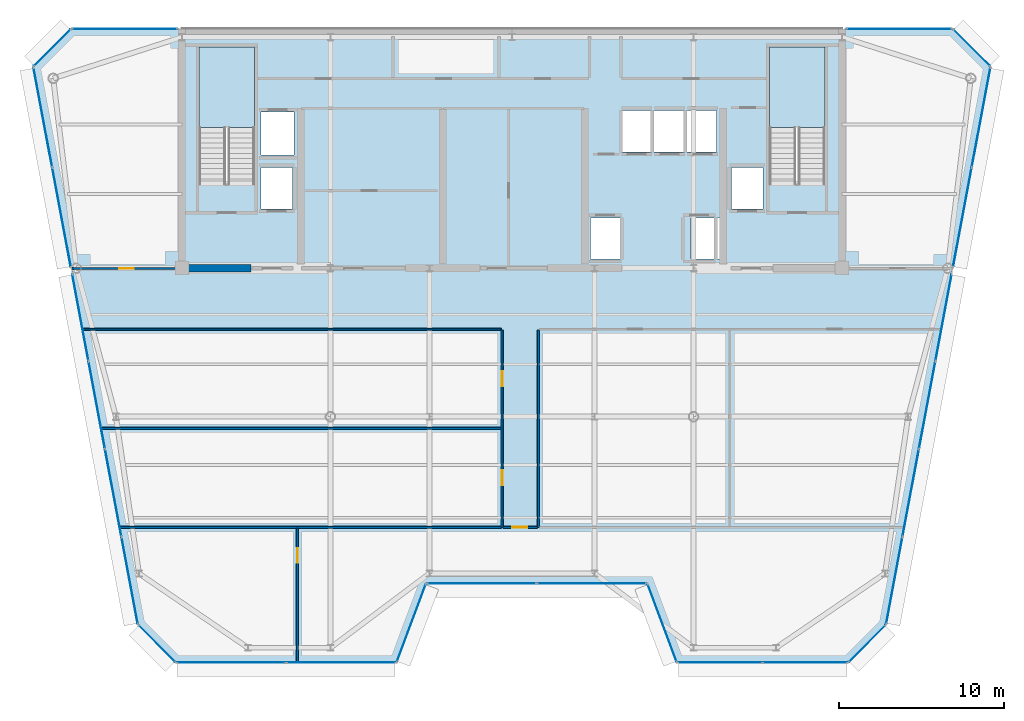
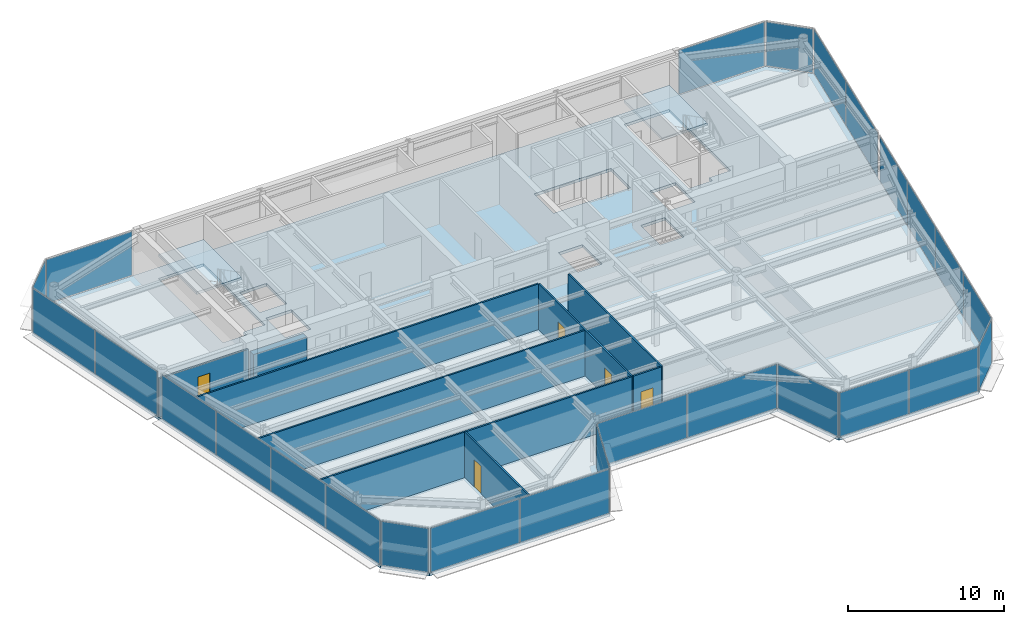
# One storey, part 10 of 19: 26 plates, 9 walls, 5 doors, 3 slabs, 5 openings, 17 elements without a shape of their own.
"""IFC4 building model written with IfcOpenShell, lengths in metres."""

from ifc_helpers import new_model, si_unit, direction, frame, frame_2d, origin, origin_2d, place, context, subcontext, project, spatial, polyline, rectangle, outline, extrude, source, transform, mapped, material, layer, layer_set, type_object, element, fill, aggregate, save


model = new_model("IFC4")

# Units and contexts
model_context = context("Model", 3, precision=1e-05, world=origin(), true_north=direction((0.0, 1.0)))
body_context = subcontext(model_context, "Body", "Model", "MODEL_VIEW")
ifc_project = project(units=[si_unit("LENGTHUNIT", "METRE"), si_unit("AREAUNIT", "SQUARE_METRE"), si_unit("VOLUMEUNIT", "CUBIC_METRE"), si_unit("PLANEANGLEUNIT", "RADIAN"), si_unit("MASSUNIT", "GRAM", prefix="KILO")], contexts=[model_context])

# Site, building, storey
site_placement = place(None, origin())
site = spatial("IfcSite", under=ifc_project, at=site_placement, CompositionType="ELEMENT")
building_placement = place(site_placement, origin())
building = spatial("IfcBuilding", under=site, at=building_placement, Name="Vaeldorn Concourse Tower", CompositionType="ELEMENT")
storey_placement = place(building_placement, frame((0.0, 0.0, 272.60009765625)))
storey = spatial("IfcBuildingStorey", under=building, at=storey_placement, Name="L70", CompositionType="ELEMENT", Elevation=272.60009765625)

# Stair, slab
ifc_material_1 = material(Name="Precast concrete C40/50", Category="concrete")
stair_type = type_object("IfcStairType", Name="STR-DOG-24x158", PredefinedType="HALF_TURN_STAIR", material=ifc_material_1)
stair_1_placement = place(storey_placement, origin())
stair_1 = element("IfcStair", 1, at=stair_1_placement, inside=storey, type_object=stair_type, Name="L70 West Core Exit Stair ST-1", PredefinedType="HALF_TURN_STAIR")
ifc_material_2 = material(Name="Concrete C40/50", Category="concrete")
ifc_layer_1 = layer(ifc_material_2, 0.199951171875)
ifc_layer_set_1 = layer_set([ifc_layer_1], Name="Concrete C40/50")
slab_type_1 = type_object("IfcSlabType", Name="SL-STAIR-LANDING", PredefinedType="LANDING", material=ifc_layer_set_1)
slab_1_placement = place(storey_placement, frame((0.0, 0.0, 1.699951171875)))
slab_1 = element("IfcSlab", 2, at=slab_1_placement, type_object=slab_type_1, Name="ST-1 landing 1", PredefinedType="LANDING", context=body_context, shape_type="SweptSolid", body=[
    extrude(outline(polyline([(18.39990234375, 45.010009765625), (18.39990234375, 49.89990234375), (15.050048828125, 49.89990234375), (15.050048828125, 45.010009765625), (18.39990234375, 45.010009765625)])), origin(), (0.0, 0.0, 1.0), 0.199951171875),
])
aggregate(stair_1, [slab_1])

stair_2_placement = place(storey_placement, origin())
stair_2 = element("IfcStair", 3, at=stair_2_placement, inside=storey, type_object=stair_type, Name="L70 East Core Exit Stair ST-2", PredefinedType="HALF_TURN_STAIR")
slab_2_placement = place(storey_placement, frame((0.0, 0.0, 1.699951171875)))
slab_2 = element("IfcSlab", 4, at=slab_2_placement, type_object=slab_type_1, Name="ST-2 landing 1", PredefinedType="LANDING", context=body_context, shape_type="SweptSolid", body=[
    extrude(outline(polyline([(52.949951171875, 45.010009765625), (52.949951171875, 49.89990234375), (49.60009765625, 49.89990234375), (49.60009765625, 45.010009765625), (52.949951171875, 45.010009765625)])), origin(), (0.0, 0.0, 1.0), 0.199951171875),
])
aggregate(stair_2, [slab_2])

# Slab
ifc_layer_2 = layer(ifc_material_2, 0.219970703125)
ifc_layer_set_2 = layer_set([ifc_layer_2], Name="Concrete C40/50")
slab_type_2 = type_object("IfcSlabType", Name="SL-TYP-220", PredefinedType="FLOOR", material=ifc_layer_set_2)
slab_3_placement = place(storey_placement, frame((0.0, 0.0, -0.22021484375)))
element("IfcSlab", 5, at=slab_3_placement, inside=storey, type_object=slab_type_2, Name="Structural Floor Slab L70", PredefinedType="FLOOR", context=body_context, shape_type="SweptSolid", body=[
    extrude(outline(polyline([(13.635986328125, 12.60009765625), (27.0, 12.60009765625), (28.800048828125, 17.39990234375), (42.199951171875, 17.39990234375), (44.0, 12.60009765625), (54.364013671875, 12.60009765625), (56.6640625, 14.89990234375), (63.0, 48.699951171875), (60.699951171875, 51.0), (7.300048828125, 51.0), (5.0, 48.699951171875), (11.3359375, 14.89990234375), (13.635986328125, 12.60009765625)]), holes=[polyline([(18.39990234375, 42.0), (18.39990234375, 49.89990234375), (15.050048828125, 49.89990234375), (15.050048828125, 41.60009765625), (16.800048828125, 41.60009765625), (16.800048828125, 42.0), (18.39990234375, 42.0)]), polyline([(52.949951171875, 42.0), (52.949951171875, 49.89990234375), (49.60009765625, 49.89990234375), (49.60009765625, 41.60009765625), (51.35009765625, 41.60009765625), (51.35009765625, 42.0), (52.949951171875, 42.0)]), polyline([(38.75, 37.050048828125), (40.550048828125, 37.050048828125), (40.550048828125, 39.550048828125), (38.75, 39.550048828125), (38.75, 37.050048828125)]), polyline([(44.85009765625, 37.050048828125), (46.64990234375, 37.050048828125), (46.64990234375, 39.550048828125), (44.85009765625, 39.550048828125), (44.85009765625, 37.050048828125)]), polyline([(40.699951171875, 43.550048828125), (46.39990234375, 43.550048828125), (46.39990234375, 46.050048828125), (40.699951171875, 46.050048828125), (40.699951171875, 43.550048828125)]), polyline([(18.800048828125, 43.35009765625), (20.800048828125, 43.35009765625), (20.800048828125, 45.949951171875), (18.800048828125, 45.949951171875), (18.800048828125, 43.35009765625)]), polyline([(18.800048828125, 40.10009765625), (20.699951171875, 40.10009765625), (20.699951171875, 42.60009765625), (18.800048828125, 42.60009765625), (18.800048828125, 40.10009765625)]), polyline([(47.300048828125, 40.10009765625), (49.199951171875, 40.10009765625), (49.199951171875, 42.60009765625), (47.300048828125, 42.60009765625), (47.300048828125, 40.10009765625)])]), origin(), (0.0, 0.0, 1.0), 0.22021484375),
])

# Curtain wall, plate
ifc_material_3 = material(Name="Anodised Bronze Aluminium", Category="aluminium")
ifc_layer_3 = layer(ifc_material_3, 0.179931640625)
ifc_layer_set_3 = layer_set([ifc_layer_3], Name="Anodised Bronze Aluminium")
curtain_wall_type = type_object("IfcCurtainWallType", Name="CW-SYS-05", PredefinedType="NOTDEFINED", material=ifc_layer_set_3)
curtain_wall_1_placement = place(storey_placement, origin())
curtain_wall_1 = element("IfcCurtainWall", 6, at=curtain_wall_1_placement, inside=storey, type_object=curtain_wall_type, Name="Unitised Curtain Wall CW-L70-E02-1", PredefinedType="NOTDEFINED")
ifc_material_4 = material(Name="Bronze Tinted Low-E Insulated Glass", Category="glass")
ifc_layer_4 = layer(ifc_material_4, 0.031982421875)
ifc_layer_set_4 = layer_set([ifc_layer_4], Name="Bronze Tinted Low-E Insulated Glass")
plate_type = type_object("IfcPlateType", Name="CWP-VISION-32", PredefinedType="CURTAIN_PANEL", material=ifc_layer_set_4)
shared_shape_1 = source(origin(), body_context, "Body", "SweptSolid", [
    extrude(rectangle(XDim=4.996337890625, YDim=0.031982421875, at=origin_2d()), origin(), (0.0, 0.0, 1.0), 3.449951171875),
])
plate_1_placement = place(storey_placement, frame((27.89990234375, 15.0, 0.06494140625), z_axis=(0.0, 0.0, 1.0), x_axis=(0.351123441595, 0.936329177566, 0.0)))
plate_1 = element("IfcPlate", 7, at=plate_1_placement, type_object=plate_type, Name="CW-05 panel 1.1", PredefinedType="CURTAIN_PANEL", context=body_context, shape_type="MappedRepresentation", body=[
    mapped(shared_shape_1, transform((0.0, 0.0, 0.0), scale=1.0)),
])
aggregate(curtain_wall_1, [plate_1])

curtain_wall_2_placement = place(storey_placement, origin())
curtain_wall_2 = element("IfcCurtainWall", 8, at=curtain_wall_2_placement, inside=storey, type_object=curtain_wall_type, Name="Unitised Curtain Wall CW-L70-E04-1", PredefinedType="NOTDEFINED")
plate_2_placement = place(storey_placement, frame((43.10009765625, 15.0, 0.06494140625), z_axis=(0.0, 0.0, 1.0), x_axis=(0.351123441595, -0.936329177566, 0.0)))
plate_2 = element("IfcPlate", 9, at=plate_2_placement, type_object=plate_type, Name="CW-05 panel 1.1", PredefinedType="CURTAIN_PANEL", context=body_context, shape_type="MappedRepresentation", body=[
    mapped(shared_shape_1, transform((0.0, 0.0, 0.0), scale=1.0)),
])
aggregate(curtain_wall_2, [plate_2])

# Curtain wall, plates
curtain_wall_3_placement = place(storey_placement, origin())
curtain_wall_3 = element("IfcCurtainWall", 10, at=curtain_wall_3_placement, inside=storey, type_object=curtain_wall_type, Name="Unitised Curtain Wall CW-L70-E03-1", PredefinedType="NOTDEFINED")
shared_shape_2 = source(origin(), body_context, "Body", "SweptSolid", [
    extrude(rectangle(XDim=6.6025390625, YDim=0.031982421875, at=origin_2d()), origin(), (0.0, 0.0, 1.0), 3.449951171875),
])
plate_3_placement = place(storey_placement, frame((32.166259765625, 17.39990234375, 0.06494140625), z_axis=(0.0, 0.0, 1.0), x_axis=(1.0, 0.0, 0.0)))
plate_3 = element("IfcPlate", 11, at=plate_3_placement, type_object=plate_type, Name="CW-05 panel 1.1", PredefinedType="CURTAIN_PANEL", context=body_context, shape_type="MappedRepresentation", body=[
    mapped(shared_shape_2, transform((0.0, 0.0, 0.0), scale=1.0)),
])
plate_4_placement = place(storey_placement, frame((38.833740234375, 17.39990234375, 0.06494140625), z_axis=(0.0, 0.0, 1.0), x_axis=(1.0, 0.0, 0.0)))
plate_4 = element("IfcPlate", 12, at=plate_4_placement, type_object=plate_type, Name="CW-05 panel 2.1", PredefinedType="CURTAIN_PANEL", context=body_context, shape_type="MappedRepresentation", body=[
    mapped(shared_shape_2, transform((0.0, 0.0, 0.0), scale=1.0)),
])
aggregate(curtain_wall_3, [plate_3, plate_4])

# Curtain wall, plate
curtain_wall_4_placement = place(storey_placement, origin())
curtain_wall_4 = element("IfcCurtainWall", 13, at=curtain_wall_4_placement, inside=storey, type_object=curtain_wall_type, Name="Unitised Curtain Wall CW-L70-E06-1", PredefinedType="NOTDEFINED")
shared_shape_3 = source(origin(), body_context, "Body", "SweptSolid", [
    extrude(rectangle(XDim=3.122802734375, YDim=0.031982421875, at=origin_2d()), origin(), (0.0, 0.0, 1.0), 3.449951171875),
])
plate_5_placement = place(storey_placement, frame((55.513916015625, 13.75, 0.06494140625), z_axis=(0.0, 0.0, 1.0), x_axis=(0.707106781187, 0.707106781187, 0.0)))
plate_5 = element("IfcPlate", 14, at=plate_5_placement, type_object=plate_type, Name="CW-05 panel 1.1", PredefinedType="CURTAIN_PANEL", context=body_context, shape_type="MappedRepresentation", body=[
    mapped(shared_shape_3, transform((0.0, 0.0, 0.0), scale=1.0)),
])
aggregate(curtain_wall_4, [plate_5])

curtain_wall_5_placement = place(storey_placement, origin())
curtain_wall_5 = element("IfcCurtainWall", 15, at=curtain_wall_5_placement, inside=storey, type_object=curtain_wall_type, Name="Unitised Curtain Wall CW-L70-E08-1", PredefinedType="NOTDEFINED")
plate_6_placement = place(storey_placement, frame((61.85009765625, 49.85009765625, 0.06494140625), z_axis=(0.0, 0.0, 1.0), x_axis=(-0.707106781187, 0.707106781187, 0.0)))
plate_6 = element("IfcPlate", 16, at=plate_6_placement, type_object=plate_type, Name="CW-05 panel 1.1", PredefinedType="CURTAIN_PANEL", context=body_context, shape_type="MappedRepresentation", body=[
    mapped(shared_shape_3, transform((0.0, 0.0, 0.0), scale=1.0)),
])
aggregate(curtain_wall_5, [plate_6])

curtain_wall_6_placement = place(storey_placement, origin())
curtain_wall_6 = element("IfcCurtainWall", 17, at=curtain_wall_6_placement, inside=storey, type_object=curtain_wall_type, Name="Unitised Curtain Wall CW-L70-E10-1", PredefinedType="NOTDEFINED")
plate_7_placement = place(storey_placement, frame((6.14990234375, 49.85009765625, 0.06494140625), z_axis=(0.0, 0.0, 1.0), x_axis=(-0.707106781187, -0.707106781187, 0.0)))
plate_7 = element("IfcPlate", 18, at=plate_7_placement, type_object=plate_type, Name="CW-05 panel 1.1", PredefinedType="CURTAIN_PANEL", context=body_context, shape_type="MappedRepresentation", body=[
    mapped(shared_shape_3, transform((0.0, 0.0, 0.0), scale=1.0)),
])
aggregate(curtain_wall_6, [plate_7])

curtain_wall_7_placement = place(storey_placement, origin())
curtain_wall_7 = element("IfcCurtainWall", 19, at=curtain_wall_7_placement, inside=storey, type_object=curtain_wall_type, Name="Unitised Curtain Wall CW-L70-E12-1", PredefinedType="NOTDEFINED")
plate_8_placement = place(storey_placement, frame((12.486083984375, 13.75, 0.06494140625), z_axis=(0.0, 0.0, 1.0), x_axis=(0.707106781187, -0.707106781187, 0.0)))
plate_8 = element("IfcPlate", 20, at=plate_8_placement, type_object=plate_type, Name="CW-05 panel 1.1", PredefinedType="CURTAIN_PANEL", context=body_context, shape_type="MappedRepresentation", body=[
    mapped(shared_shape_3, transform((0.0, 0.0, 0.0), scale=1.0)),
])
aggregate(curtain_wall_7, [plate_8])

curtain_wall_8_placement = place(storey_placement, origin())
curtain_wall_8 = element("IfcCurtainWall", 21, at=curtain_wall_8_placement, inside=storey, type_object=curtain_wall_type, Name="Unitised Curtain Wall CW-L70-E09-1", PredefinedType="NOTDEFINED")
shared_shape_4 = source(origin(), body_context, "Body", "SweptSolid", [
    extrude(rectangle(XDim=6.35009765625, YDim=0.031982421875, at=origin_2d()), origin(), (0.0, 0.0, 1.0), 3.449951171875),
])
plate_9_placement = place(storey_placement, frame((57.4599609375, 51.0, 0.06494140625), z_axis=(0.0, 0.0, 1.0), x_axis=(-1.0, 0.0, 0.0)))
plate_9 = element("IfcPlate", 22, at=plate_9_placement, type_object=plate_type, Name="CW-05 panel 1.1", PredefinedType="CURTAIN_PANEL", context=body_context, shape_type="MappedRepresentation", body=[
    mapped(shared_shape_4, transform((0.0, 0.0, 0.0), scale=1.0)),
])
aggregate(curtain_wall_8, [plate_9])

curtain_wall_9_placement = place(storey_placement, origin())
curtain_wall_9 = element("IfcCurtainWall", 23, at=curtain_wall_9_placement, inside=storey, type_object=curtain_wall_type, Name="Unitised Curtain Wall CW-L70-E09-2", PredefinedType="NOTDEFINED")
plate_10_placement = place(storey_placement, frame((10.5400390625, 51.0, 0.06494140625), z_axis=(0.0, 0.0, 1.0), x_axis=(-1.0, 0.0, 0.0)))
plate_10 = element("IfcPlate", 24, at=plate_10_placement, type_object=plate_type, Name="CW-05 panel 1.1", PredefinedType="CURTAIN_PANEL", context=body_context, shape_type="MappedRepresentation", body=[
    mapped(shared_shape_4, transform((0.0, 0.0, 0.0), scale=1.0)),
])
aggregate(curtain_wall_9, [plate_10])

# Curtain wall, plates
curtain_wall_10_placement = place(storey_placement, origin())
curtain_wall_10 = element("IfcCurtainWall", 25, at=curtain_wall_10_placement, inside=storey, type_object=curtain_wall_type, Name="Unitised Curtain Wall CW-L70-E07-1", PredefinedType="NOTDEFINED")
shared_shape_5 = source(origin(), body_context, "Body", "SweptSolid", [
    extrude(rectangle(XDim=5.31640625, YDim=0.031982421875, at=origin_2d()), origin(), (0.0, 0.0, 1.0), 3.449951171875),
])
plate_11_placement = place(storey_placement, frame((57.165771484375, 17.57666015625, 0.06494140625), z_axis=(0.0, 0.0, 1.0), x_axis=(0.184246714088, 0.982880027444, 0.0)))
plate_11 = element("IfcPlate", 26, at=plate_11_placement, type_object=plate_type, Name="CW-05 panel 1.1", PredefinedType="CURTAIN_PANEL", context=body_context, shape_type="MappedRepresentation", body=[
    mapped(shared_shape_5, transform((0.0, 0.0, 0.0), scale=1.0)),
])
plate_12_placement = place(storey_placement, frame((60.15234375, 33.50830078125, 0.06494140625), z_axis=(0.0, 0.0, 1.0), x_axis=(0.184246714088, 0.982880027444, 0.0)))
plate_12 = element("IfcPlate", 27, at=plate_12_placement, type_object=plate_type, Name="CW-05 panel 4.1", PredefinedType="CURTAIN_PANEL", context=body_context, shape_type="MappedRepresentation", body=[
    mapped(shared_shape_5, transform((0.0, 0.0, 0.0), scale=1.0)),
])

curtain_wall_11_placement = place(storey_placement, origin())
curtain_wall_11 = element("IfcCurtainWall", 28, at=curtain_wall_11_placement, inside=storey, type_object=curtain_wall_type, Name="Unitised Curtain Wall CW-L70-E11-2", PredefinedType="NOTDEFINED")
plate_13_placement = place(storey_placement, frame((7.84765625, 33.50830078125, 0.06494140625), z_axis=(0.0, 0.0, 1.0), x_axis=(0.184246714088, -0.982880027444, 0.0)))
plate_13 = element("IfcPlate", 29, at=plate_13_placement, type_object=plate_type, Name="CW-05 panel 1.1", PredefinedType="CURTAIN_PANEL", context=body_context, shape_type="MappedRepresentation", body=[
    mapped(shared_shape_5, transform((0.0, 0.0, 0.0), scale=1.0)),
])
plate_14_placement = place(storey_placement, frame((10.834228515625, 17.57666015625, 0.06494140625), z_axis=(0.0, 0.0, 1.0), x_axis=(0.184246714088, -0.982880027444, 0.0)))
plate_14 = element("IfcPlate", 30, at=plate_14_placement, type_object=plate_type, Name="CW-05 panel 4.1", PredefinedType="CURTAIN_PANEL", context=body_context, shape_type="MappedRepresentation", body=[
    mapped(shared_shape_5, transform((0.0, 0.0, 0.0), scale=1.0)),
])

# Plate
shared_shape_6 = source(origin(), body_context, "Body", "SweptSolid", [
    extrude(rectangle(XDim=5.348876953125, YDim=0.031982421875, at=origin_2d()), origin(), (0.0, 0.0, 1.0), 3.449951171875),
])
plate_15_placement = place(storey_placement, frame((58.16015625, 22.8818359375, 0.06494140625), z_axis=(0.0, 0.0, 1.0), x_axis=(0.184246714088, 0.982880027444, 0.0)))
plate_15 = element("IfcPlate", 31, at=plate_15_placement, type_object=plate_type, Name="CW-05 panel 2.1", PredefinedType="CURTAIN_PANEL", context=body_context, shape_type="MappedRepresentation", body=[
    mapped(shared_shape_6, transform((0.0, 0.0, 0.0), scale=1.0)),
])

plate_16_placement = place(storey_placement, frame((59.15771484375, 28.203125, 0.06494140625), z_axis=(0.0, 0.0, 1.0), x_axis=(0.184246714088, 0.982880027444, 0.0)))
plate_16 = element("IfcPlate", 32, at=plate_16_placement, type_object=plate_type, Name="CW-05 panel 3.1", PredefinedType="CURTAIN_PANEL", context=body_context, shape_type="MappedRepresentation", body=[
    mapped(shared_shape_6, transform((0.0, 0.0, 0.0), scale=1.0)),
])

aggregate(curtain_wall_10, [plate_11, plate_15, plate_16, plate_12])

plate_17_placement = place(storey_placement, frame((8.84228515625, 28.203125, 0.06494140625), z_axis=(0.0, 0.0, 1.0), x_axis=(0.184246714088, -0.982880027444, 0.0)))
plate_17 = element("IfcPlate", 33, at=plate_17_placement, type_object=plate_type, Name="CW-05 panel 2.1", PredefinedType="CURTAIN_PANEL", context=body_context, shape_type="MappedRepresentation", body=[
    mapped(shared_shape_6, transform((0.0, 0.0, 0.0), scale=1.0)),
])

plate_18_placement = place(storey_placement, frame((9.83984375, 22.8818359375, 0.06494140625), z_axis=(0.0, 0.0, 1.0), x_axis=(0.184246714088, -0.982880027444, 0.0)))
plate_18 = element("IfcPlate", 34, at=plate_18_placement, type_object=plate_type, Name="CW-05 panel 3.1", PredefinedType="CURTAIN_PANEL", context=body_context, shape_type="MappedRepresentation", body=[
    mapped(shared_shape_6, transform((0.0, 0.0, 0.0), scale=1.0)),
])

aggregate(curtain_wall_11, [plate_13, plate_17, plate_18, plate_14])

# Curtain wall, plates
curtain_wall_12_placement = place(storey_placement, origin())
curtain_wall_12 = element("IfcCurtainWall", 35, at=curtain_wall_12_placement, inside=storey, type_object=curtain_wall_type, Name="Unitised Curtain Wall CW-L70-E07-2", PredefinedType="NOTDEFINED")
shared_shape_7 = source(origin(), body_context, "Body", "SweptSolid", [
    extrude(rectangle(XDim=6.103515625, YDim=0.031982421875, at=origin_2d()), origin(), (0.0, 0.0, 1.0), 3.449951171875),
])
plate_19_placement = place(storey_placement, frame((61.289306640625, 39.57373046875, 0.06494140625), z_axis=(0.0, 0.0, 1.0), x_axis=(0.184245693053, 0.982880218842, 0.0)))
plate_19 = element("IfcPlate", 36, at=plate_19_placement, type_object=plate_type, Name="CW-05 panel 1.1", PredefinedType="CURTAIN_PANEL", context=body_context, shape_type="MappedRepresentation", body=[
    mapped(shared_shape_7, transform((0.0, 0.0, 0.0), scale=1.0)),
])
plate_20_placement = place(storey_placement, frame((62.42578125, 45.63671875, 0.06494140625), z_axis=(0.0, 0.0, 1.0), x_axis=(0.184245693053, 0.982880218842, 0.0)))
plate_20 = element("IfcPlate", 37, at=plate_20_placement, type_object=plate_type, Name="CW-05 panel 2.1", PredefinedType="CURTAIN_PANEL", context=body_context, shape_type="MappedRepresentation", body=[
    mapped(shared_shape_7, transform((0.0, 0.0, 0.0), scale=1.0)),
])
aggregate(curtain_wall_12, [plate_19, plate_20])

curtain_wall_13_placement = place(storey_placement, origin())
curtain_wall_13 = element("IfcCurtainWall", 38, at=curtain_wall_13_placement, inside=storey, type_object=curtain_wall_type, Name="Unitised Curtain Wall CW-L70-E11-1", PredefinedType="NOTDEFINED")
plate_21_placement = place(storey_placement, frame((5.57421875, 45.63671875, 0.06494140625), z_axis=(0.0, 0.0, 1.0), x_axis=(0.184245693053, -0.982880218842, 0.0)))
plate_21 = element("IfcPlate", 39, at=plate_21_placement, type_object=plate_type, Name="CW-05 panel 1.1", PredefinedType="CURTAIN_PANEL", context=body_context, shape_type="MappedRepresentation", body=[
    mapped(shared_shape_7, transform((0.0, 0.0, 0.0), scale=1.0)),
])
plate_22_placement = place(storey_placement, frame((6.710693359375, 39.57373046875, 0.06494140625), z_axis=(0.0, 0.0, 1.0), x_axis=(0.184245693053, -0.982880218842, 0.0)))
plate_22 = element("IfcPlate", 40, at=plate_22_placement, type_object=plate_type, Name="CW-05 panel 2.1", PredefinedType="CURTAIN_PANEL", context=body_context, shape_type="MappedRepresentation", body=[
    mapped(shared_shape_7, transform((0.0, 0.0, 0.0), scale=1.0)),
])
aggregate(curtain_wall_13, [plate_21, plate_22])

curtain_wall_14_placement = place(storey_placement, origin())
curtain_wall_14 = element("IfcCurtainWall", 41, at=curtain_wall_14_placement, inside=storey, type_object=curtain_wall_type, Name="Unitised Curtain Wall CW-L70-E01-1", PredefinedType="NOTDEFINED")
shared_shape_8 = source(origin(), body_context, "Body", "SweptSolid", [
    extrude(rectangle(XDim=6.58447265625, YDim=0.031982421875, at=origin_2d()), origin(), (0.0, 0.0, 1.0), 3.449951171875),
])
plate_23_placement = place(storey_placement, frame((16.9931640625, 12.60009765625, 0.06494140625), z_axis=(0.0, 0.0, 1.0), x_axis=(1.0, 0.0, 0.0)))
plate_23 = element("IfcPlate", 42, at=plate_23_placement, type_object=plate_type, Name="CW-05 panel 1.1", PredefinedType="CURTAIN_PANEL", context=body_context, shape_type="MappedRepresentation", body=[
    mapped(shared_shape_8, transform((0.0, 0.0, 0.0), scale=1.0)),
])
plate_24_placement = place(storey_placement, frame((23.642822265625, 12.60009765625, 0.06494140625), z_axis=(0.0, 0.0, 1.0), x_axis=(1.0, 0.0, 0.0)))
plate_24 = element("IfcPlate", 43, at=plate_24_placement, type_object=plate_type, Name="CW-05 panel 2.1", PredefinedType="CURTAIN_PANEL", context=body_context, shape_type="MappedRepresentation", body=[
    mapped(shared_shape_8, transform((0.0, 0.0, 0.0), scale=1.0)),
])
aggregate(curtain_wall_14, [plate_23, plate_24])

curtain_wall_15_placement = place(storey_placement, origin())
curtain_wall_15 = element("IfcCurtainWall", 44, at=curtain_wall_15_placement, inside=storey, type_object=curtain_wall_type, Name="Unitised Curtain Wall CW-L70-E05-1", PredefinedType="NOTDEFINED")
shared_shape_9 = source(origin(), body_context, "Body", "SweptSolid", [
    extrude(rectangle(XDim=5.08447265625, YDim=0.031982421875, at=origin_2d()), origin(), (0.0, 0.0, 1.0), 3.449951171875),
])
plate_25_placement = place(storey_placement, frame((46.607177734375, 12.60009765625, 0.06494140625), z_axis=(0.0, 0.0, 1.0), x_axis=(1.0, 0.0, 0.0)))
plate_25 = element("IfcPlate", 45, at=plate_25_placement, type_object=plate_type, Name="CW-05 panel 1.1", PredefinedType="CURTAIN_PANEL", context=body_context, shape_type="MappedRepresentation", body=[
    mapped(shared_shape_9, transform((0.0, 0.0, 0.0), scale=1.0)),
])
plate_26_placement = place(storey_placement, frame((51.7568359375, 12.60009765625, 0.06494140625), z_axis=(0.0, 0.0, 1.0), x_axis=(1.0, 0.0, 0.0)))
plate_26 = element("IfcPlate", 46, at=plate_26_placement, type_object=plate_type, Name="CW-05 panel 2.1", PredefinedType="CURTAIN_PANEL", context=body_context, shape_type="MappedRepresentation", body=[
    mapped(shared_shape_9, transform((0.0, 0.0, 0.0), scale=1.0)),
])
aggregate(curtain_wall_15, [plate_25, plate_26])

# Walls
ifc_material_5 = material(Name="Concrete C50/60", Category="concrete")
ifc_layer_5 = layer(ifc_material_5, 0.449951171875)
ifc_layer_set_5 = layer_set([ifc_layer_5], Name="Concrete C50/60")
wall_type_1 = type_object("IfcWallType", Name="WL-CORE-450", PredefinedType="SHEAR", material=ifc_layer_set_5)
wall_1_placement = place(storey_placement, frame((14.2451171875, 36.5, 0.0), z_axis=(0.0, 0.0, 1.0), x_axis=(1.0, 0.0, 0.0)))
element("IfcWall", 47, at=wall_1_placement, inside=storey, type_object=wall_type_1, Name="Rear Core Shear Wall L70 S1", PredefinedType="SHEAR", context=body_context, shape_type="SweptSolid", body=[
    extrude(rectangle(XDim=3.954833984375, YDim=0.449951171875, at=frame_2d((1.9775390625, 0.0))), origin(), (0.0, 0.0, 1.0), 2.579833984375),
])
ifc_material_6 = material(Name="Gypsum Board Partition", Category="gypsum")
ifc_layer_6 = layer(ifc_material_6, 0.1201171875)
ifc_layer_set_6 = layer_set([ifc_layer_6], Name="Gypsum Board Partition")
wall_type_2 = type_object("IfcWallType", Name="WL-PART-120", PredefinedType="PARTITIONING", material=ifc_layer_set_6)
wall_2_placement = place(storey_placement, frame((8.0205078125, 32.800048828125, 0.0), z_axis=(0.0, 0.0, 1.0), x_axis=(1.0, 0.0, 0.0)))
element("IfcWall", 48, at=wall_2_placement, inside=storey, type_object=wall_type_2, Name="Interior Wall PW-L70-C2SW", PredefinedType="PARTITIONING", context=body_context, shape_type="SweptSolid", body=[
    extrude(rectangle(XDim=25.319580078125, YDim=0.1201171875, at=frame_2d((12.65966796875, 0.0))), origin(), (0.0, 0.0, 1.0), 3.579833984375),
])

# Wall, openings, doors
wall_3_placement = place(storey_placement, frame((33.39990234375, 20.800048828125, 0.0), z_axis=(0.0, 0.0, 1.0), x_axis=(0.0, 1.0, 0.0)))
wall_3 = element("IfcWall", 49, at=wall_3_placement, inside=storey, type_object=wall_type_2, Name="Interior Wall PW-L70-SP2W", PredefinedType="PARTITIONING", context=body_context, shape_type="SweptSolid", body=[
    extrude(rectangle(XDim=11.93994140625, YDim=0.1201171875, at=frame_2d((5.969970703125, 0.0))), origin(), (0.0, 0.0, 1.0), 3.579833984375),
])
opening_1_placement = place(wall_3_placement, frame((2.550048828125, 0.0, 0.0)))
opening_1 = element("IfcOpeningElement", 50, at=opening_1_placement, cuts=wall_3, Name="Opening D-03", PredefinedType="OPENING", context=body_context, shape_type="SweptSolid", body=[
    extrude(rectangle(XDim=0.89990234375, YDim=2.14990234375, at=frame_2d((0.449951171875, 1.074951171875))), frame((0.0, 0.070068359375, 0.0), z_axis=(0.0, -1.0, 0.0), x_axis=(1.0, 0.0, 0.0)), (0.0, 0.0, 1.0), 0.14013671875),
])
opening_2_placement = place(wall_3_placement, frame((8.550048828125, 0.0, 0.0)))
opening_2 = element("IfcOpeningElement", 51, at=opening_2_placement, cuts=wall_3, Name="Opening D-03", PredefinedType="OPENING", context=body_context, shape_type="SweptSolid", body=[
    extrude(rectangle(XDim=0.89990234375, YDim=2.14990234375, at=frame_2d((0.449951171875, 1.074951171875))), frame((0.0, 0.070068359375, 0.0), z_axis=(0.0, -1.0, 0.0), x_axis=(1.0, 0.0, 0.0)), (0.0, 0.0, 1.0), 0.14013671875),
])
ifc_material_7 = material(Name="Acoustic Bronze-Framed Glass Door", Category="glass")
door_type = type_object("IfcDoorType", Name="DR-INT-900", OperationType="NOTDEFINED", PredefinedType="DOOR", material=ifc_material_7)
shared_shape_10 = source(origin(), body_context, "Body", "SweptSolid", [
    extrude(rectangle(XDim=0.89990234375, YDim=2.14990234375, at=frame_2d((0.449951171875, 1.074951171875))), frame((0.0, 0.02490234375, 0.0), z_axis=(0.0, -1.0, 0.0), x_axis=(1.0, 0.0, 0.0)), (0.0, 0.0, 1.0), 0.050048828125),
])
door_1_placement = place(opening_1_placement, origin())
door_1 = element("IfcDoor", 52, at=door_1_placement, inside=storey, type_object=door_type, Name="Interior Door DR-L70-Z2W1", OperationType="SINGLE_SWING_LEFT", OverallHeight=2.14990234375, OverallWidth=0.89990234375, PredefinedType="DOOR", context=body_context, shape_type="MappedRepresentation", body=[
    mapped(shared_shape_10, transform((0.0, 0.0, 0.0), scale=1.0)),
])
fill(opening_1, door_1)
door_2_placement = place(opening_2_placement, origin())
door_2 = element("IfcDoor", 53, at=door_2_placement, inside=storey, type_object=door_type, Name="Interior Door DR-L70-Z2W2", OperationType="SINGLE_SWING_RIGHT", OverallHeight=2.14990234375, OverallWidth=0.89990234375, PredefinedType="DOOR", context=body_context, shape_type="MappedRepresentation", body=[
    mapped(shared_shape_10, transform((0.0, 0.0, 0.0), scale=1.0)),
])
fill(opening_2, door_2)

# Wall
wall_4_placement = place(storey_placement, frame((35.60009765625, 20.800048828125, 0.0), z_axis=(0.0, 0.0, 1.0), x_axis=(0.0, 1.0, 0.0)))
element("IfcWall", 54, at=wall_4_placement, inside=storey, type_object=wall_type_2, Name="Interior Wall PW-L70-SP2E", PredefinedType="PARTITIONING", context=body_context, shape_type="SweptSolid", body=[
    extrude(rectangle(XDim=11.93994140625, YDim=0.1201171875, at=frame_2d((5.969970703125, 0.0))), origin(), (0.0, 0.0, 1.0), 3.579833984375),
])

# Wall, opening, door
wall_5_placement = place(storey_placement, frame((33.4599609375, 20.800048828125, 0.0), z_axis=(0.0, 0.0, 1.0), x_axis=(1.0, 0.0, 0.0)))
wall_5 = element("IfcWall", 55, at=wall_5_placement, inside=storey, type_object=wall_type_2, Name="Interior Wall PW-L70-SP2S", PredefinedType="PARTITIONING", context=body_context, shape_type="SweptSolid", body=[
    extrude(rectangle(XDim=2.080078125, YDim=0.1201171875, at=frame_2d((1.0400390625, 0.0))), origin(), (0.0, 0.0, 1.0), 3.579833984375),
])
opening_3_placement = place(wall_5_placement, frame((0.550048828125, 0.0, 0.0)))
opening_3 = element("IfcOpeningElement", 56, at=opening_3_placement, cuts=wall_5, Name="Opening D-03", PredefinedType="OPENING", context=body_context, shape_type="SweptSolid", body=[
    extrude(rectangle(XDim=0.89990234375, YDim=2.14990234375, at=frame_2d((0.449951171875, 1.074951171875))), frame((0.0, 0.070068359375, 0.0), z_axis=(0.0, -1.0, 0.0), x_axis=(1.0, 0.0, 0.0)), (0.0, 0.0, 1.0), 0.14013671875),
])
door_3_placement = place(opening_3_placement, origin())
door_3 = element("IfcDoor", 57, at=door_3_placement, inside=storey, type_object=door_type, Name="Interior Door DR-L70-Z2SFM", OperationType="SINGLE_SWING_LEFT", OverallHeight=2.14990234375, OverallWidth=0.89990234375, PredefinedType="DOOR", context=body_context, shape_type="MappedRepresentation", body=[
    mapped(shared_shape_10, transform((0.0, 0.0, 0.0), scale=1.0)),
])
fill(opening_3, door_3)

wall_6_placement = place(storey_placement, frame((7.336181640625, 36.47998046875, 0.0), z_axis=(0.0, 0.0, 1.0), x_axis=(1.0, 0.0, 0.0)))
wall_6 = element("IfcWall", 58, at=wall_6_placement, inside=storey, type_object=wall_type_2, Name="Interior Wall PW-L70-NWS", PredefinedType="PARTITIONING", context=body_context, shape_type="SweptSolid", body=[
    extrude(rectangle(XDim=6.603759765625, YDim=0.1201171875, at=frame_2d((3.3017578125, 0.0))), origin(), (0.0, 0.0, 1.0), 3.02001953125),
])
opening_4_placement = place(wall_6_placement, frame((2.85205078125, 0.0, 0.0)))
opening_4 = element("IfcOpeningElement", 59, at=opening_4_placement, cuts=wall_6, Name="Opening D-03", PredefinedType="OPENING", context=body_context, shape_type="SweptSolid", body=[
    extrude(rectangle(XDim=0.89990234375, YDim=2.14990234375, at=frame_2d((0.449951171875, 1.074951171875))), frame((0.0, 0.070068359375, 0.0), z_axis=(0.0, -1.0, 0.0), x_axis=(1.0, 0.0, 0.0)), (0.0, 0.0, 1.0), 0.14013671875),
])
door_4_placement = place(opening_4_placement, origin())
door_4 = element("IfcDoor", 60, at=door_4_placement, inside=storey, type_object=door_type, Name="Interior Door DR-L70-NWC", OperationType="SINGLE_SWING_LEFT", OverallHeight=2.14990234375, OverallWidth=0.89990234375, PredefinedType="DOOR", context=body_context, shape_type="MappedRepresentation", body=[
    mapped(shared_shape_10, transform((0.0, 0.0, 0.0), scale=1.0)),
])
fill(opening_4, door_4)

# Wall
wall_7_placement = place(storey_placement, frame((10.27001953125, 20.800048828125, 0.0), z_axis=(0.0, 0.0, 1.0), x_axis=(1.0, 0.0, 0.0)))
element("IfcWall", 61, at=wall_7_placement, inside=storey, type_object=wall_type_2, Name="Interior Wall PW-L70-S2WL", PredefinedType="PARTITIONING", context=body_context, shape_type="SweptSolid", body=[
    extrude(rectangle(XDim=23.070068359375, YDim=0.1201171875, at=frame_2d((11.53515625, 0.0))), origin(), (0.0, 0.0, 1.0), 3.579833984375),
])

# Wall, opening, door
wall_8_placement = place(storey_placement, frame((21.0, 12.639892578125, 0.0), z_axis=(0.0, 0.0, 1.0), x_axis=(0.0, 1.0, 0.0)))
wall_8 = element("IfcWall", 62, at=wall_8_placement, inside=storey, type_object=wall_type_2, Name="Interior Wall PW-L70-Z2SFX1", PredefinedType="PARTITIONING", context=body_context, shape_type="SweptSolid", body=[
    extrude(rectangle(XDim=8.10009765625, YDim=0.1201171875, at=frame_2d((4.050048828125, 0.0))), origin(), (0.0, 0.0, 1.0), 3.579833984375),
])
opening_5_placement = place(wall_8_placement, frame((6.0, 0.0, 0.0)))
opening_5 = element("IfcOpeningElement", 63, at=opening_5_placement, cuts=wall_8, Name="Opening D-03", PredefinedType="OPENING", context=body_context, shape_type="SweptSolid", body=[
    extrude(rectangle(XDim=0.89990234375, YDim=2.14990234375, at=frame_2d((0.449951171875, 1.074951171875))), frame((0.0, 0.070068359375, 0.0), z_axis=(0.0, -1.0, 0.0), x_axis=(1.0, 0.0, 0.0)), (0.0, 0.0, 1.0), 0.14013671875),
])
door_5_placement = place(opening_5_placement, origin())
door_5 = element("IfcDoor", 64, at=door_5_placement, inside=storey, type_object=door_type, Name="Interior Door DR-L70-Z2SFX1", OperationType="SINGLE_SWING_RIGHT", OverallHeight=2.14990234375, OverallWidth=0.89990234375, PredefinedType="DOOR", context=body_context, shape_type="MappedRepresentation", body=[
    mapped(shared_shape_10, transform((0.0, 0.0, 0.0), scale=1.0)),
])
fill(opening_5, door_5)

# Wall
wall_9_placement = place(storey_placement, frame((9.145263671875, 26.800048828125, 0.0), z_axis=(0.0, 0.0, 1.0), x_axis=(1.0, 0.0, 0.0)))
element("IfcWall", 65, at=wall_9_placement, inside=storey, type_object=wall_type_2, Name="Interior Wall PW-L70-Z2WY1", PredefinedType="PARTITIONING", context=body_context, shape_type="SweptSolid", body=[
    extrude(rectangle(XDim=24.19482421875, YDim=0.1201171875, at=frame_2d((12.097412109375, 0.0))), origin(), (0.0, 0.0, 1.0), 3.579833984375),
])

save(model, "model.ifc")
